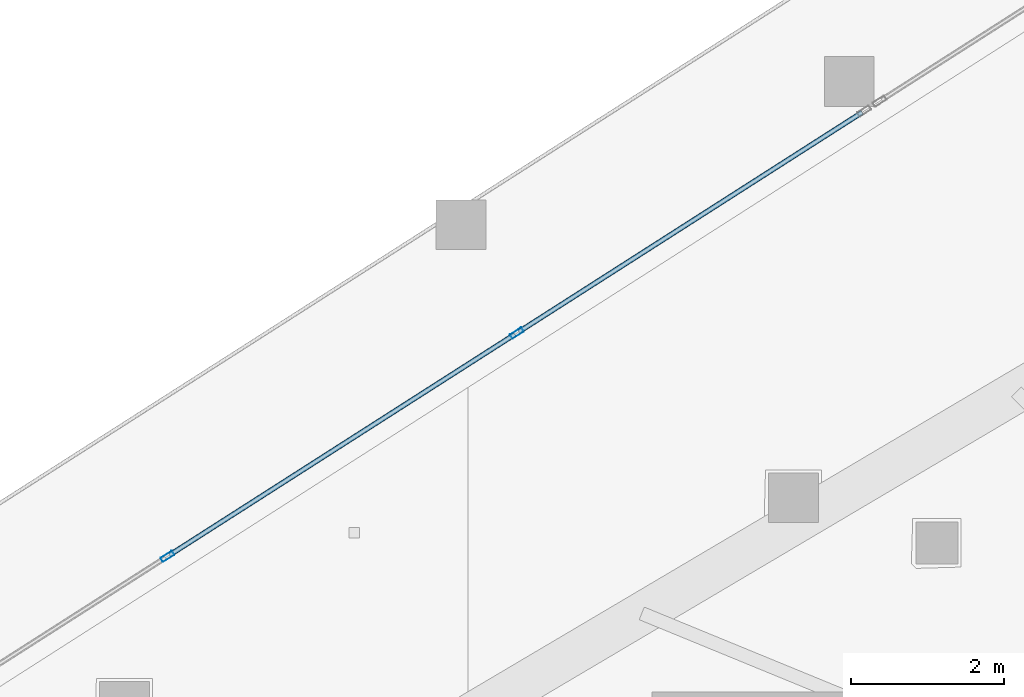
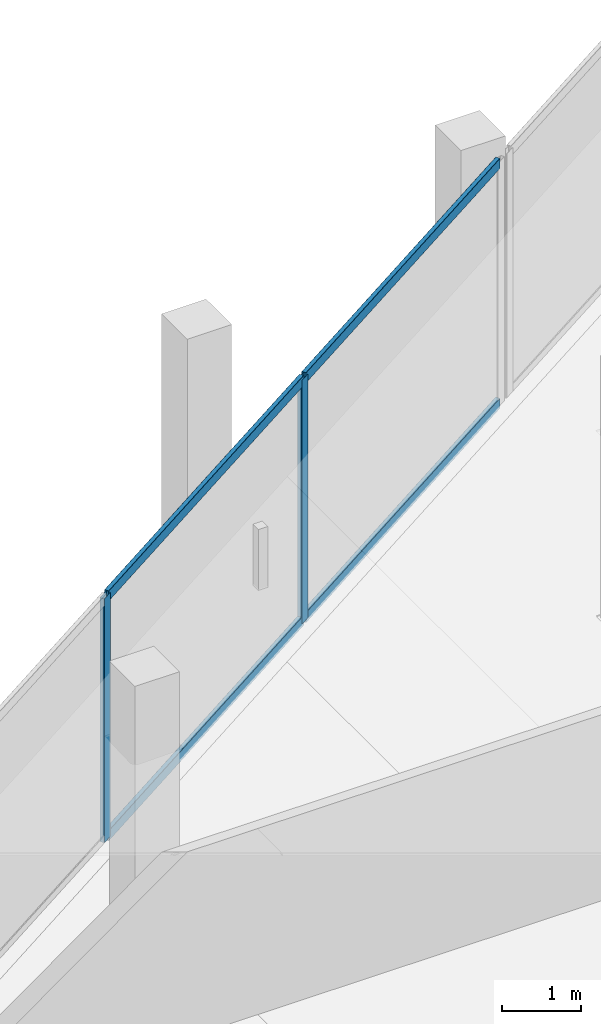
# One storey, part 15 of 42: 6 members, 1 element without a shape of its own.
"""IFC4 building model written with IfcOpenShell, lengths in metres."""

import ifcopenshell
import ifcopenshell.guid

model = None  # the IFC model being written
_history = None  # IfcOwnerHistory: only IFC2X3 demands one
_inside = {}  # id of a spatial element -> (the spatial element, [elements in it])
_under = {}  # id of a project, library or spatial element -> (it, [spatial elements below it])
_declared = {}  # id of a project -> (the project, [libraries it declares])
_typed = {}  # id of a type object -> (the type object, [elements of that type])
_made_of = {}  # id of a material, layer set ... -> (it, [elements and type objects made of it])


def new_model(schema):
    """Start an empty IFC model of exactly this schema.

    Asked for "IFC4X3", IfcOpenShell would pick the latest addendum, in which some entities
    have other attributes; the version numbers below select the first issue.
    IFC2X3 requires an IfcOwnerHistory on every rooted entity: one is made here for all.
    """
    global model, _history
    if schema == "IFC4X3":
        model = ifcopenshell.file(schema_version=(4, 3, 0, 0))
    else:
        model = ifcopenshell.file(schema=schema)
    _inside.clear()
    _under.clear()
    _declared.clear()
    _typed.clear()
    _made_of.clear()
    _history = None
    if model.schema == "IFC2X3":
        org = make("IfcOrganization", Name="unknown")
        user = make(
            "IfcPersonAndOrganization",
            ThePerson=make("IfcPerson", FamilyName="unknown"),
            TheOrganization=org,
        )
        app = make(
            "IfcApplication",
            ApplicationDeveloper=org,
            Version="unknown",
            ApplicationFullName="unknown",
            ApplicationIdentifier="unknown",
        )
        _history = make(
            "IfcOwnerHistory",
            OwningUser=user,
            OwningApplication=app,
            ChangeAction="ADDED",
            CreationDate=0,
        )
    return model


def make(cls, **values):
    """One entity of the class cls with the attributes given. An attribute that is None is left unset."""
    return model.create_entity(
        cls, **{name: value for name, value in values.items() if value is not None}
    )


def rooted(cls, **values):
    """An entity with a GlobalId (a new one), such as an element, a storey or a relation."""
    return make(cls, GlobalId=ifcopenshell.guid.new(), OwnerHistory=_history, **values)


def si_unit(unit_type, name, prefix=None):
    """IfcSIUnit, for example si_unit("LENGTHUNIT", "METRE", prefix="MILLI")."""
    return make("IfcSIUnit", UnitType=unit_type, Prefix=prefix, Name=name)


def assignment(units):
    """IfcUnitAssignment: the units of a project."""
    return None if units is None else make("IfcUnitAssignment", Units=units)


def point(xyz):
    """IfcCartesianPoint."""
    return None if xyz is None else make("IfcCartesianPoint", Coordinates=xyz)


def direction(xyz):
    """IfcDirection."""
    return None if xyz is None else make("IfcDirection", DirectionRatios=xyz)


def frame(location, z_axis=None, x_axis=None):
    """IfcAxis2Placement3D, a coordinate frame: its origin and axes. An axis left out is left unset."""
    return make(
        "IfcAxis2Placement3D",
        Location=point(location),
        Axis=direction(z_axis),
        RefDirection=direction(x_axis),
    )


def frame_2d(location, x_axis=None):
    """IfcAxis2Placement2D, a coordinate frame in the plane: its origin and x axis."""
    return make(
        "IfcAxis2Placement2D", Location=point(location), RefDirection=direction(x_axis)
    )


def origin():
    """The frame at (0, 0, 0) with its axes left unset."""
    return frame((0.0, 0.0, 0.0))


def origin_2d():
    """The frame at (0, 0) in the plane with its x axis left unset."""
    return frame_2d((0.0, 0.0))


def place(relative_to, where):
    """IfcLocalPlacement: puts the frame where relative to a parent placement (None: the world)."""
    return make(
        "IfcLocalPlacement", PlacementRelTo=relative_to, RelativePlacement=where
    )


def context(
    kind, dimensions, precision=None, world=None, true_north=None, identifier=None
):
    """IfcGeometricRepresentationContext, for example the 3D "Model" context."""
    return make(
        "IfcGeometricRepresentationContext",
        ContextIdentifier=identifier,
        ContextType=kind,
        CoordinateSpaceDimension=dimensions,
        Precision=precision,
        WorldCoordinateSystem=world,
        TrueNorth=true_north,
    )


def subcontext(parent, identifier, kind, view, scale=None):
    """IfcGeometricRepresentationSubContext, for example "Body" below "Model"."""
    return make(
        "IfcGeometricRepresentationSubContext",
        ContextIdentifier=identifier,
        ContextType=kind,
        ParentContext=parent,
        TargetScale=scale,
        TargetView=view,
    )


def project(units=None, contexts=None):
    """IfcProject with its units and contexts."""
    return rooted(
        "IfcProject",
        Name="project",
        RepresentationContexts=contexts,
        UnitsInContext=assignment(units),
    )


def spatial(cls, under=None, at=None, **own):
    """A site, building, storey or space (cls), placed at a placement, below another one or the project."""
    s = rooted(cls, ObjectPlacement=at, **own)
    if under is not None:
        _under.setdefault(under.id(), (under, []))[1].append(s)
    return s


def profile(cls, at=None, kind="AREA", **sizes):
    """A parametric profile (cls). Its sizes go by their IFC names, for example OverallWidth=200.0."""
    return make(cls, ProfileType=kind, Position=at, **sizes)


def hollow_rectangle(**sizes):
    """IfcRectangleHollowProfileDef."""
    return profile("IfcRectangleHollowProfileDef", **sizes)


def extrude(swept, where, along, depth):
    """IfcExtrudedAreaSolid: the profile swept, set in the frame where, extruded along a direction by depth."""
    return make(
        "IfcExtrudedAreaSolid",
        SweptArea=swept,
        Position=where,
        ExtrudedDirection=direction(along),
        Depth=depth,
    )


def shape(context_of_items, identifier, shape_type, items):
    """IfcShapeRepresentation: the items that make up one representation, for example the "Body"."""
    return make(
        "IfcShapeRepresentation",
        ContextOfItems=context_of_items,
        RepresentationIdentifier=identifier,
        RepresentationType=shape_type,
        Items=items,
    )


def material(Name=None, Category=None):
    """IfcMaterial."""
    return make("IfcMaterial", Name=Name, Category=Category)


def layer(
    of_material, thickness, ventilated=None, Name=None, Category=None, Priority=None
):
    """IfcMaterialLayer: one layer of a wall or slab, of a material (None: an air gap)."""
    return make(
        "IfcMaterialLayer",
        Material=of_material,
        LayerThickness=thickness,
        IsVentilated=ventilated,
        Name=Name,
        Category=Category,
        Priority=Priority,
    )


def layer_set(layers, Name=None):
    """IfcMaterialLayerSet."""
    return make("IfcMaterialLayerSet", MaterialLayers=layers, LayerSetName=Name)


def material_profile(
    of_material, cross_section, Name=None, Category=None, Priority=None
):
    """IfcMaterialProfile: a cross section and its material."""
    return make(
        "IfcMaterialProfile",
        Name=Name,
        Material=of_material,
        Profile=cross_section,
        Priority=Priority,
        Category=Category,
    )


def profile_set(profiles, Name=None, composite=None):
    """IfcMaterialProfileSet."""
    return make(
        "IfcMaterialProfileSet",
        Name=Name,
        MaterialProfiles=profiles,
        CompositeProfile=composite,
    )


def made_of(thing, what):
    """Note that an element or type object is made of a material, layer set ...; save() writes the relation."""
    if what is not None:
        _made_of.setdefault(what.id(), (what, []))[1].append(thing)
    return thing


def type_object(cls, material=None, **own):
    """A type object (cls), such as IfcWallType, which elements share."""
    return made_of(rooted(cls, **own), material)


def element(
    cls,
    number,
    at=None,
    inside=None,
    cuts=None,
    type_object=None,
    material=None,
    context=None,
    identifier="Body",
    shape_type=None,
    held_by="IfcProductDefinitionShape",
    body=None,
    shapes=None,
    **own,
):
    """One element of the class cls, such as IfcWall. Its Tag is "e" and its number.

    at: its placement. inside: the storey or other place that contains it. cuts: it is an
    opening in that element (IfcRelVoidsElement). A single representation is given by context,
    identifier, shape_type and body (its items); several are given by shapes. held_by: the class
    of the entity that holds the representations. save() writes the other relations.
    """
    e = rooted(cls, Tag="e%d" % number, ObjectPlacement=at, **own)
    if body is not None:
        shapes = [shape(context, identifier, shape_type, body)]
    if shapes is not None:
        e.Representation = make(held_by, Representations=shapes)
    if inside is not None:
        _inside.setdefault(inside.id(), (inside, []))[1].append(e)
    if cuts is not None:
        rooted(
            "IfcRelVoidsElement", RelatingBuildingElement=cuts, RelatedOpeningElement=e
        )
    if type_object is not None:
        _typed.setdefault(type_object.id(), (type_object, []))[1].append(e)
    return made_of(e, material)


def aggregate(whole, parts):
    """IfcRelAggregates: a whole, such as a stair, and the parts it consists of."""
    return rooted("IfcRelAggregates", RelatingObject=whole, RelatedObjects=parts)


def save(model, path):
    """Write the relations noted so far, then the file.

    IfcRelAggregates (storeys below a building ...), IfcRelContainedInSpatialStructure (elements
    in a storey), IfcRelDefinesByType, IfcRelAssociatesMaterial and IfcRelDeclares: one each for
    every whole, place, type object, material and project.
    """
    for whole, parts in _under.values():
        aggregate(whole, parts)
    for where, things in _inside.values():
        rooted(
            "IfcRelContainedInSpatialStructure",
            RelatedElements=things,
            RelatingStructure=where,
        )
    for kind, things in _typed.values():
        rooted("IfcRelDefinesByType", RelatedObjects=things, RelatingType=kind)
    for what, things in _made_of.values():
        rooted("IfcRelAssociatesMaterial", RelatedObjects=things, RelatingMaterial=what)
    for by, libraries in _declared.values():
        rooted("IfcRelDeclares", RelatingContext=by, RelatedDefinitions=libraries)
    model.write(path)


model = new_model("IFC4")

# Units and contexts
model_context = context("Model", 3, precision=1e-05, world=origin(), true_north=direction((0.0, 1.0)))
body_context = subcontext(model_context, "Body", "Model", "MODEL_VIEW")
ifc_project = project(units=[si_unit("LENGTHUNIT", "METRE"), si_unit("AREAUNIT", "SQUARE_METRE"), si_unit("VOLUMEUNIT", "CUBIC_METRE"), si_unit("PLANEANGLEUNIT", "RADIAN"), si_unit("MASSUNIT", "GRAM", prefix="KILO")], contexts=[model_context])

# Site, building, storey
site_placement = place(None, origin())
site = spatial("IfcSite", under=ifc_project, at=site_placement, CompositionType="ELEMENT")
building_placement = place(site_placement, origin())
building = spatial("IfcBuilding", under=site, at=building_placement, Name="Qorvath Tower", CompositionType="ELEMENT")
storey_placement = place(building_placement, frame((0.0, 0.0, 117.89990234375)))
storey = spatial("IfcBuildingStorey", under=building, at=storey_placement, Name="L26", CompositionType="ELEMENT", Elevation=117.89990234375)

# Curtain wall, members
ifc_material_1 = material(Name="Anodised aluminium and triple low-E glass", Category="aluminium")
ifc_layer = layer(ifc_material_1, 0.179931640625)
ifc_layer_set = layer_set([ifc_layer], Name="CW-SYS-2")
curtain_wall_type = type_object("IfcCurtainWallType", Name="CW-SYS-2", PredefinedType="NOTDEFINED", material=ifc_layer_set)
curtain_wall_placement = place(storey_placement, origin())
curtain_wall = element("IfcCurtainWall", 1, at=curtain_wall_placement, inside=storey, type_object=curtain_wall_type, Name="Curtain Wall CW-2 CW-T-L26-16.3", PredefinedType="NOTDEFINED")
ifc_material_2 = material(Name="Anodised aluminium 6063-T6", Category="aluminium")
ifc_material_profile_1 = material_profile(ifc_material_2, hollow_rectangle(XDim=0.06494140625, YDim=0.179931640625, WallThickness=0.00341796875, InnerFilletRadius=0.00341796875, OuterFilletRadius=0.007080078125, at=origin_2d()), Name="CWM 180x65")
ifc_profile_set_1 = profile_set([ifc_material_profile_1], Name="Anodised aluminium 6063-T6")
member_type_1 = type_object("IfcMemberType", Name="CWM-180", PredefinedType="MULLION", material=ifc_profile_set_1)
member_1_placement = place(storey_placement, frame((-39.60107421875, 15.537109375, 0.0), z_axis=(0.0, 0.0, 1.0), x_axis=(0.538534177075, -0.842603667285, 0.0)))
member_1 = element("IfcMember", 2, at=member_1_placement, type_object=member_type_1, Name="CW-2 mullion 2", PredefinedType="MULLION", context=body_context, shape_type="SweptSolid", body=[
    extrude(hollow_rectangle(XDim=0.06494140625, YDim=0.179931640625, WallThickness=0.00341796875, InnerFilletRadius=0.00341796875, OuterFilletRadius=0.007080078125, at=origin_2d()), origin(), (0.0, 0.0, 1.0), 3.77001953125),
])
member_2_placement = place(storey_placement, frame((-44.173095703125, 12.614990234375, 0.0), z_axis=(0.0, 0.0, 1.0), x_axis=(0.538534177075, -0.842603667285, 0.0)))
member_2 = element("IfcMember", 3, at=member_2_placement, type_object=member_type_1, Name="CW-2 mullion 3", PredefinedType="MULLION", context=body_context, shape_type="SweptSolid", body=[
    extrude(hollow_rectangle(XDim=0.06494140625, YDim=0.179931640625, WallThickness=0.00341796875, InnerFilletRadius=0.00341796875, OuterFilletRadius=0.007080078125, at=origin_2d()), origin(), (0.0, 0.0, 1.0), 3.77001953125),
])
ifc_material_3 = material(Name="Anodised aluminium 6063-T6", Category="aluminium")
ifc_material_profile_2 = material_profile(ifc_material_3, hollow_rectangle(XDim=0.06494140625, YDim=0.159912109375, WallThickness=0.00341796875, InnerFilletRadius=0.00341796875, OuterFilletRadius=0.007080078125, at=origin_2d()), Name="CWT 160x65")
ifc_profile_set_2 = profile_set([ifc_material_profile_2], Name="Anodised aluminium 6063-T6")
member_type_2 = type_object("IfcMemberType", Name="CWT-160", PredefinedType="USERDEFINED", material=ifc_profile_set_2)
member_3_placement = place(storey_placement, frame((-35.083984375, 18.42431640625, 0.032470703125), z_axis=(-0.842595771585, -0.53854653068, 0.0), x_axis=(0.53854653068, -0.842595771585, 0.0)))
member_3 = element("IfcMember", 4, at=member_3_placement, type_object=member_type_2, Name="CW-2 transom 1.1", ObjectType="TRANSOM", PredefinedType="USERDEFINED", context=body_context, shape_type="SweptSolid", body=[
    extrude(hollow_rectangle(XDim=0.06494140625, YDim=0.159912109375, WallThickness=0.00341796875, InnerFilletRadius=0.00341796875, OuterFilletRadius=0.007080078125, at=origin_2d()), origin(), (0.0, 0.0, 1.0), 5.328369140625),
])
member_4_placement = place(storey_placement, frame((-35.083984375, 18.42431640625, 3.737548828125), z_axis=(-0.842595771585, -0.53854653068, 0.0), x_axis=(0.53854653068, -0.842595771585, 0.0)))
member_4 = element("IfcMember", 5, at=member_4_placement, type_object=member_type_2, Name="CW-2 transom 1.2", ObjectType="TRANSOM", PredefinedType="USERDEFINED", context=body_context, shape_type="SweptSolid", body=[
    extrude(hollow_rectangle(XDim=0.06494140625, YDim=0.159912109375, WallThickness=0.00341796875, InnerFilletRadius=0.00341796875, OuterFilletRadius=0.007080078125, at=origin_2d()), origin(), (0.0, 0.0, 1.0), 5.328369140625),
])
member_5_placement = place(storey_placement, frame((-39.62841796875, 15.51953125, 0.032470703125), z_axis=(-0.842621067422, -0.538506951428, 0.0), x_axis=(0.538506951428, -0.842621067422, 0.0)))
member_5 = element("IfcMember", 6, at=member_5_placement, type_object=member_type_2, Name="CW-2 transom 2.1", ObjectType="TRANSOM", PredefinedType="USERDEFINED", context=body_context, shape_type="SweptSolid", body=[
    extrude(hollow_rectangle(XDim=0.06494140625, YDim=0.159912109375, WallThickness=0.00341796875, InnerFilletRadius=0.00341796875, OuterFilletRadius=0.007080078125, at=origin_2d()), origin(), (0.0, 0.0, 1.0), 5.361083984375),
])
member_6_placement = place(storey_placement, frame((-39.62841796875, 15.51953125, 3.737548828125), z_axis=(-0.842621067422, -0.538506951428, 0.0), x_axis=(0.538506951428, -0.842621067422, 0.0)))
member_6 = element("IfcMember", 7, at=member_6_placement, type_object=member_type_2, Name="CW-2 transom 2.2", ObjectType="TRANSOM", PredefinedType="USERDEFINED", context=body_context, shape_type="SweptSolid", body=[
    extrude(hollow_rectangle(XDim=0.06494140625, YDim=0.159912109375, WallThickness=0.00341796875, InnerFilletRadius=0.00341796875, OuterFilletRadius=0.007080078125, at=origin_2d()), origin(), (0.0, 0.0, 1.0), 5.361083984375),
])
aggregate(curtain_wall, [member_1, member_2, member_3, member_4, member_5, member_6])

save(model, "model.ifc")
